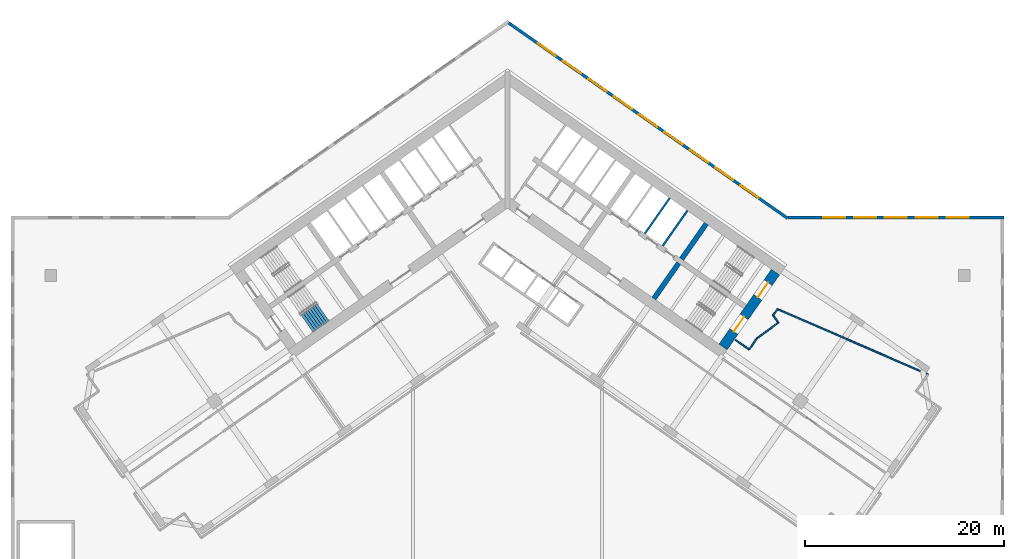
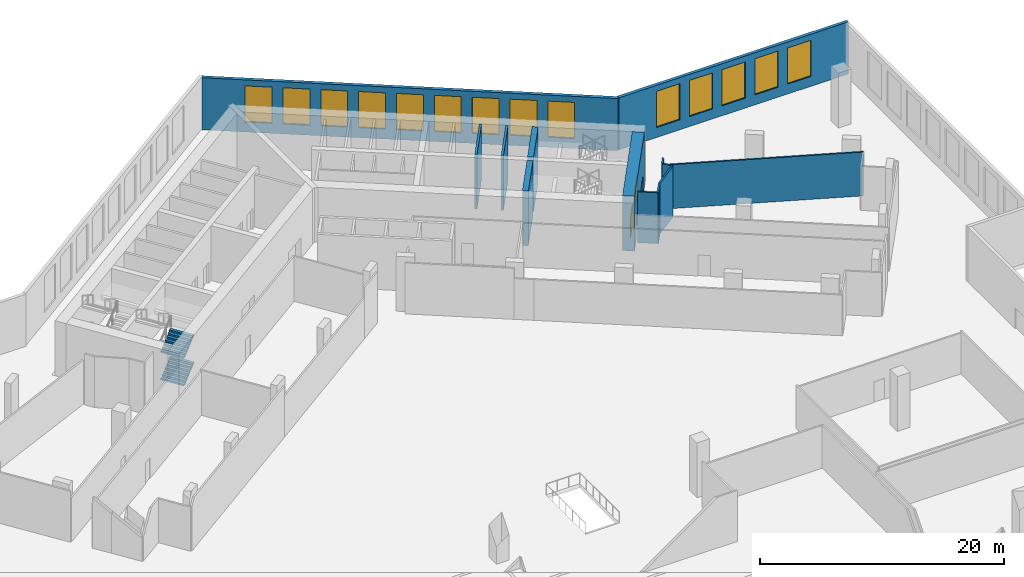
# One storey, part 10 of 15: 14 windows, 13 walls, 2 doors, 2 stair flights, 16 openings, 1 element without a shape of its own.
"""IFC4 building model written with IfcOpenShell, lengths in metres."""

from ifc_helpers import new_model, si_unit, direction, frame, frame_2d, origin, place, context, subcontext, project, spatial, polyline, rectangle, outline, extrude, material, layer, layer_set, type_object, element, fill, aggregate, save


model = new_model("IFC4")

# Units and contexts
model_context = context("Model", 3, precision=1e-05, world=origin(), true_north=direction((0.0, 1.0)))
body_context = subcontext(model_context, "Body", "Model", "MODEL_VIEW")
ifc_project = project(units=[si_unit("LENGTHUNIT", "METRE"), si_unit("AREAUNIT", "SQUARE_METRE"), si_unit("VOLUMEUNIT", "CUBIC_METRE"), si_unit("PLANEANGLEUNIT", "RADIAN"), si_unit("MASSUNIT", "GRAM", prefix="KILO")], contexts=[model_context])

# Site, building, storey
site_placement = place(None, origin())
site = spatial("IfcSite", under=ifc_project, at=site_placement, CompositionType="ELEMENT")
building_placement = place(site_placement, origin())
building = spatial("IfcBuilding", under=site, at=building_placement, Name="Tel Ilan Convention Tower", CompositionType="ELEMENT")
storey_placement = place(building_placement, frame((0.0, 0.0, 43.0)))
storey = spatial("IfcBuildingStorey", under=building, at=storey_placement, Name="L06", CompositionType="ELEMENT", Elevation=43.0)

# Wall, openings, doors
ifc_material_1 = material(Name="Concrete C60/75", Category="concrete")
ifc_layer_1 = layer(ifc_material_1, 1.0)
ifc_layer_set_1 = layer_set([ifc_layer_1], Name="Core Shear Wall 1000 mm C60/75")
wall_type_1 = type_object("IfcWallType", Name="Core Shear Wall 1000 mm C60/75", PredefinedType="SHEAR", material=ifc_layer_set_1)
wall_1_placement = place(storey_placement, frame((21.70751953125, -15.19970703125, 0.0), z_axis=(0.0, 0.0, 1.0), x_axis=(0.573576324356, 0.819152122709, 0.0)))
wall_1 = element("IfcWall", 1, at=wall_1_placement, inside=storey, type_object=wall_type_1, Name="L06 core wall E-end", PredefinedType="SHEAR", context=body_context, shape_type="SweptSolid", body=[
    extrude(outline(polyline([(9.199951171875, 0.5), (0.0, 0.5), (0.0, -0.5), (9.199951171875, -0.5), (9.199951171875, 0.5)])), origin(), (0.0, 0.0, 1.0), 5.5),
])
opening_1_placement = place(wall_1_placement, frame((6.10009765625, 0.0, 0.0)))
opening_1 = element("IfcOpeningElement", 2, at=opening_1_placement, cuts=wall_1, Name="Opening SD0903", PredefinedType="OPENING", context=body_context, shape_type="SweptSolid", body=[
    extrude(rectangle(XDim=1.800048828125, YDim=2.10009765625, at=frame_2d((0.89990234375, 1.050048828125))), frame((0.0, 0.510009765625, 0.0), z_axis=(0.0, -1.0, 0.0), x_axis=(1.0, 0.0, 0.0)), (0.0, 0.0, 1.0), 1.02001953125),
])
opening_2_placement = place(wall_1_placement, frame((1.89990234375, 0.0, 0.0)))
opening_2 = element("IfcOpeningElement", 3, at=opening_2_placement, cuts=wall_1, Name="Opening SD0904", PredefinedType="OPENING", context=body_context, shape_type="SweptSolid", body=[
    extrude(rectangle(XDim=1.800048828125, YDim=2.10009765625, at=frame_2d((0.89990234375, 1.050048828125))), frame((0.0, 0.510009765625, 0.0), z_axis=(0.0, -1.0, 0.0), x_axis=(1.0, 0.0, 0.0)), (0.0, 0.0, 1.0), 1.02001953125),
])
ifc_material_2 = material(Name="Galvanised Steel Door Leaf", Category="steel")
door_type = type_object("IfcDoorType", Name="Stair Fire Door 1800 x 2100 FD60S", OperationType="NOTDEFINED", PredefinedType="DOOR", material=ifc_material_2)
door_1_placement = place(opening_1_placement, origin())
door_1 = element("IfcDoor", 4, at=door_1_placement, inside=storey, type_object=door_type, Name="Stair S3 door", OperationType="DOUBLE_DOOR_SINGLE_SWING", OverallHeight=2.10009765625, OverallWidth=1.800048828125, PredefinedType="DOOR", context=body_context, shape_type="SweptSolid", body=[
    extrude(rectangle(XDim=1.800048828125, YDim=2.10009765625, at=frame_2d((0.89990234375, 1.050048828125))), frame((0.0, 0.02490234375, 0.0), z_axis=(0.0, -1.0, 0.0), x_axis=(1.0, 0.0, 0.0)), (0.0, 0.0, 1.0), 0.050048828125),
])
fill(opening_1, door_1)
door_2_placement = place(opening_2_placement, origin())
door_2 = element("IfcDoor", 5, at=door_2_placement, inside=storey, type_object=door_type, Name="Stair S4 door", OperationType="DOUBLE_DOOR_SINGLE_SWING", OverallHeight=2.10009765625, OverallWidth=1.800048828125, PredefinedType="DOOR", context=body_context, shape_type="SweptSolid", body=[
    extrude(rectangle(XDim=1.800048828125, YDim=2.10009765625, at=frame_2d((0.89990234375, 1.050048828125))), frame((0.0, 0.02490234375, 0.0), z_axis=(0.0, -1.0, 0.0), x_axis=(1.0, 0.0, 0.0)), (0.0, 0.0, 1.0), 0.050048828125),
])
fill(opening_2, door_2)

# Walls
ifc_material_3 = material(Name="Concrete C60/75", Category="concrete")
ifc_layer_2 = layer(ifc_material_3, 0.5)
ifc_layer_set_2 = layer_set([ifc_layer_2], Name="Core Shear Wall 500 mm C60/75")
wall_type_2 = type_object("IfcWallType", Name="Core Shear Wall 500 mm C60/75", PredefinedType="SHEAR", material=ifc_layer_set_2)
wall_2_placement = place(storey_placement, frame((14.74462890625, -10.324462890625, 0.0), z_axis=(0.0, 0.0, 1.0), x_axis=(0.57356780395, 0.819158088694, 0.0)))
element("IfcWall", 6, at=wall_2_placement, inside=storey, type_object=wall_type_2, Name="L06 core wall E-cross2-1", PredefinedType="SHEAR", context=body_context, shape_type="SweptSolid", body=[
    extrude(outline(polyline([(0.0, 0.25), (0.0, -0.25), (4.35009765625, -0.250244140625), (4.35009765625, 0.25), (0.0, 0.25)])), origin(), (0.0, 0.0, 1.0), 5.5),
])
wall_3_placement = place(storey_placement, frame((17.526611328125, -6.3515625, 0.0), z_axis=(0.0, 0.0, 1.0), x_axis=(0.573530143085, 0.819184457233, 0.0)))
element("IfcWall", 7, at=wall_3_placement, inside=storey, type_object=wall_type_2, Name="L06 core wall E-cross2-2", PredefinedType="SHEAR", context=body_context, shape_type="SweptSolid", body=[
    extrude(outline(polyline([(4.35009765625, -0.250244140625), (4.35009765625, 0.249755859375), (0.0, 0.25), (0.0, -0.25), (4.35009765625, -0.250244140625)])), origin(), (0.0, 0.0, 1.0), 5.5),
])
ifc_material_4 = material(Name="Plasterboard on Steel Studs", Category="steel")
ifc_layer_3 = layer(ifc_material_4, 0.14990234375)
ifc_layer_set_3 = layer_set([ifc_layer_3], Name="Fire-rated Partition 150 EI 60")
wall_type_3 = type_object("IfcWallType", Name="Fire-rated Partition 150 EI 60", PredefinedType="PARTITIONING", material=ifc_layer_set_3)
wall_4_placement = place(storey_placement, frame((26.74609375, -12.013671875, 0.0), z_axis=(0.0, 0.0, 1.0), x_axis=(0.573761975376, 0.819022097146, 0.0)))
element("IfcWall", 8, at=wall_4_placement, inside=storey, type_object=wall_type_3, Name="Partition 011", PredefinedType="PARTITIONING", context=body_context, shape_type="SweptSolid", body=[
    extrude(rectangle(XDim=0.765380859375, YDim=0.14990234375, at=frame_2d((0.3828125, 0.0))), origin(), (0.0, 0.0, 1.0), 5.10009765625),
])
wall_5_placement = place(storey_placement, frame((27.185302734375, -11.38671875, 0.0), z_axis=(0.0, 0.0, 1.0), x_axis=(0.917531384635, -0.397663372979, 0.0)))
element("IfcWall", 9, at=wall_5_placement, inside=storey, type_object=wall_type_3, Name="Partition 012", PredefinedType="PARTITIONING", context=body_context, shape_type="SweptSolid", body=[
    extrude(rectangle(XDim=16.535888671875, YDim=0.14990234375, at=frame_2d((8.26806640625, 0.0))), origin(), (0.0, 0.0, 1.0), 4.39990234375),
])
wall_6_placement = place(storey_placement, frame((22.961181640625, -14.490478515625, 0.0), z_axis=(0.0, 0.0, 1.0), x_axis=(0.819109000826, -0.573637903879, 0.0)))
element("IfcWall", 10, at=wall_6_placement, inside=storey, type_object=wall_type_3, Name="Partition 013", PredefinedType="PARTITIONING", context=body_context, shape_type="SweptSolid", body=[
    extrude(rectangle(XDim=1.679931640625, YDim=0.14990234375, at=frame_2d((0.83984375, 0.0))), origin(), (0.0, 0.0, 1.0), 5.10009765625),
])
wall_7_placement = place(storey_placement, frame((24.337158203125, -15.4541015625, 0.0), z_axis=(0.0, 0.0, 1.0), x_axis=(0.573571252353, 0.819155674139, 0.0)))
element("IfcWall", 11, at=wall_7_placement, inside=storey, type_object=wall_type_3, Name="Partition 014", PredefinedType="PARTITIONING", context=body_context, shape_type="SweptSolid", body=[
    extrude(rectangle(XDim=1.35400390625, YDim=0.14990234375, at=frame_2d((0.677001953125, 0.0))), origin(), (0.0, 0.0, 1.0), 5.10009765625),
])
wall_8_placement = place(storey_placement, frame((25.11376953125, -14.344970703125, 0.0), z_axis=(0.0, 0.0, 1.0), x_axis=(0.803211070557, 0.595694532571, 0.0)))
element("IfcWall", 12, at=wall_8_placement, inside=storey, type_object=wall_type_3, Name="Partition 015", PredefinedType="PARTITIONING", context=body_context, shape_type="SweptSolid", body=[
    extrude(rectangle(XDim=2.699951171875, YDim=0.14990234375, at=frame_2d((1.35009765625, 0.0))), origin(), (0.0, 0.0, 1.0), 5.10009765625),
])
wall_9_placement = place(storey_placement, frame((27.282470703125, -12.736572265625, 0.0), z_axis=(0.0, 0.0, 1.0), x_axis=(-0.595869495235, 0.803081281471, 0.0)))
element("IfcWall", 13, at=wall_9_placement, inside=storey, type_object=wall_type_3, Name="Partition 016", PredefinedType="PARTITIONING", context=body_context, shape_type="SweptSolid", body=[
    extrude(rectangle(XDim=0.900146484375, YDim=0.14990234375, at=frame_2d((0.4501953125, 0.0))), origin(), (0.0, 0.0, 1.0), 5.10009765625),
])
ifc_material_5 = material(Name="Concrete C30/37", Category="concrete")
ifc_layer_4 = layer(ifc_material_5, 0.199951171875)
ifc_layer_set_4 = layer_set([ifc_layer_4], Name="Lift Shaft Wall 200 mm C30/37")
wall_type_4 = type_object("IfcWallType", Name="Lift Shaft Wall 200 mm C30/37", PredefinedType="SOLIDWALL", material=ifc_layer_set_4)
wall_10_placement = place(storey_placement, frame((13.84033203125, -3.7705078125, 0.0), z_axis=(0.0, 0.0, 1.0), x_axis=(0.57356780395, 0.819158088694, 0.0)))
element("IfcWall", 14, at=wall_10_placement, inside=storey, type_object=wall_type_4, Name="L06 core wall bank-E2-p1", PredefinedType="SOLIDWALL", context=body_context, shape_type="SweptSolid", body=[
    extrude(rectangle(XDim=4.35009765625, YDim=0.199951171875, at=frame_2d((2.175048828125, 0.0))), origin(), (0.0, 0.0, 1.0), 5.5),
])
wall_11_placement = place(storey_placement, frame((15.6220703125, -5.017822265625, 0.0), z_axis=(0.0, 0.0, 1.0), x_axis=(0.573594173421, 0.819139624372, 0.0)))
element("IfcWall", 15, at=wall_11_placement, inside=storey, type_object=wall_type_4, Name="L06 core wall bank-E2-p2", PredefinedType="SOLIDWALL", context=body_context, shape_type="SweptSolid", body=[
    extrude(rectangle(XDim=4.349853515625, YDim=0.199951171875, at=frame_2d((2.1748046875, 0.0))), origin(), (0.0, 0.0, 1.0), 5.5),
])

# Wall, openings, windows
ifc_material_6 = material(Name="Bronze aluminium cladding panel on insulated steel frame", Category="steel")
ifc_layer_5 = layer(ifc_material_6, 0.300048828125)
ifc_layer_set_5 = layer_set([ifc_layer_5], Name="PODIUM CLADDING WALL 300")
wall_type_5 = type_object("IfcWallType", Name="PODIUM CLADDING WALL 300", PredefinedType="SOLIDWALL", material=ifc_layer_set_5)
wall_12_placement = place(storey_placement, frame((0.122802734375, 17.43212890625, 0.0), z_axis=(0.0, 0.0, 1.0), x_axis=(0.819151970339, -0.573576541963, 0.0)))
wall_12 = element("IfcWall", 16, at=wall_12_placement, inside=storey, type_object=wall_type_5, Name="Podium cladding wall", PredefinedType="SOLIDWALL", context=body_context, shape_type="SweptSolid", body=[
    extrude(rectangle(XDim=34.29052734375, YDim=0.300048828125, at=frame_2d((17.145263671875, 0.0))), origin(), (0.0, 0.0, 1.0), 5.219970703125),
])
opening_3_placement = place(wall_12_placement, frame((3.5673828125, 0.0, 1.0)))
opening_3 = element("IfcOpeningElement", 17, at=opening_3_placement, cuts=wall_12, Name="Opening W-09.045", PredefinedType="OPENING", context=body_context, shape_type="SweptSolid", body=[
    extrude(rectangle(XDim=2.21728515625, YDim=3.6201171875, at=frame_2d((1.108642578125, 1.81005859375))), frame((0.0, 0.159912109375, 0.0), z_axis=(0.0, -1.0, 0.0), x_axis=(1.0, 0.0, 0.0)), (0.0, 0.0, 1.0), 0.320068359375),
])
opening_4_placement = place(wall_12_placement, frame((6.6845703125, 0.0, 1.0)))
opening_4 = element("IfcOpeningElement", 18, at=opening_4_placement, cuts=wall_12, Name="Opening W-09.046", PredefinedType="OPENING", context=body_context, shape_type="SweptSolid", body=[
    extrude(rectangle(XDim=2.21728515625, YDim=3.6201171875, at=frame_2d((1.108642578125, 1.81005859375))), frame((0.0, 0.159912109375, 0.0), z_axis=(0.0, -1.0, 0.0), x_axis=(1.0, 0.0, 0.0)), (0.0, 0.0, 1.0), 0.320068359375),
])
opening_5_placement = place(wall_12_placement, frame((9.802001953125, 0.0, 1.0)))
opening_5 = element("IfcOpeningElement", 19, at=opening_5_placement, cuts=wall_12, Name="Opening W-09.047", PredefinedType="OPENING", context=body_context, shape_type="SweptSolid", body=[
    extrude(rectangle(XDim=2.21728515625, YDim=3.6201171875, at=frame_2d((1.108642578125, 1.81005859375))), frame((0.0, 0.159912109375, 0.0), z_axis=(0.0, -1.0, 0.0), x_axis=(1.0, 0.0, 0.0)), (0.0, 0.0, 1.0), 0.320068359375),
])
opening_6_placement = place(wall_12_placement, frame((12.919189453125, 0.0, 1.0)))
opening_6 = element("IfcOpeningElement", 20, at=opening_6_placement, cuts=wall_12, Name="Opening W-09.048", PredefinedType="OPENING", context=body_context, shape_type="SweptSolid", body=[
    extrude(rectangle(XDim=2.21728515625, YDim=3.6201171875, at=frame_2d((1.108642578125, 1.81005859375))), frame((0.0, 0.159912109375, 0.0), z_axis=(0.0, -1.0, 0.0), x_axis=(1.0, 0.0, 0.0)), (0.0, 0.0, 1.0), 0.320068359375),
])
opening_7_placement = place(wall_12_placement, frame((16.03662109375, 0.0, 1.0)))
opening_7 = element("IfcOpeningElement", 21, at=opening_7_placement, cuts=wall_12, Name="Opening W-09.049", PredefinedType="OPENING", context=body_context, shape_type="SweptSolid", body=[
    extrude(rectangle(XDim=2.21728515625, YDim=3.6201171875, at=frame_2d((1.108642578125, 1.81005859375))), frame((0.0, 0.159912109375, 0.0), z_axis=(0.0, -1.0, 0.0), x_axis=(1.0, 0.0, 0.0)), (0.0, 0.0, 1.0), 0.320068359375),
])
opening_8_placement = place(wall_12_placement, frame((19.15380859375, 0.0, 1.0)))
opening_8 = element("IfcOpeningElement", 22, at=opening_8_placement, cuts=wall_12, Name="Opening W-09.050", PredefinedType="OPENING", context=body_context, shape_type="SweptSolid", body=[
    extrude(rectangle(XDim=2.21728515625, YDim=3.6201171875, at=frame_2d((1.108642578125, 1.81005859375))), frame((0.0, 0.159912109375, 0.0), z_axis=(0.0, -1.0, 0.0), x_axis=(1.0, 0.0, 0.0)), (0.0, 0.0, 1.0), 0.320068359375),
])
opening_9_placement = place(wall_12_placement, frame((22.27099609375, 0.0, 1.0)))
opening_9 = element("IfcOpeningElement", 23, at=opening_9_placement, cuts=wall_12, Name="Opening W-09.051", PredefinedType="OPENING", context=body_context, shape_type="SweptSolid", body=[
    extrude(rectangle(XDim=2.21728515625, YDim=3.6201171875, at=frame_2d((1.108642578125, 1.81005859375))), frame((0.0, 0.159912109375, 0.0), z_axis=(0.0, -1.0, 0.0), x_axis=(1.0, 0.0, 0.0)), (0.0, 0.0, 1.0), 0.320068359375),
])
opening_10_placement = place(wall_12_placement, frame((25.388427734375, 0.0, 1.0)))
opening_10 = element("IfcOpeningElement", 24, at=opening_10_placement, cuts=wall_12, Name="Opening W-09.052", PredefinedType="OPENING", context=body_context, shape_type="SweptSolid", body=[
    extrude(rectangle(XDim=2.21728515625, YDim=3.6201171875, at=frame_2d((1.108642578125, 1.81005859375))), frame((0.0, 0.159912109375, 0.0), z_axis=(0.0, -1.0, 0.0), x_axis=(1.0, 0.0, 0.0)), (0.0, 0.0, 1.0), 0.320068359375),
])
opening_11_placement = place(wall_12_placement, frame((28.505615234375, 0.0, 1.0)))
opening_11 = element("IfcOpeningElement", 25, at=opening_11_placement, cuts=wall_12, Name="Opening W-09.053", PredefinedType="OPENING", context=body_context, shape_type="SweptSolid", body=[
    extrude(rectangle(XDim=2.21728515625, YDim=3.6201171875, at=frame_2d((1.108642578125, 1.81005859375))), frame((0.0, 0.159912109375, 0.0), z_axis=(0.0, -1.0, 0.0), x_axis=(1.0, 0.0, 0.0)), (0.0, 0.0, 1.0), 0.320068359375),
])
ifc_material_7 = material(Name="Aluminium framed glazing, bronze anodised, tinted glass", Category="aluminium")
window_type_1 = type_object("IfcWindowType", Name="PODIUM WINDOW 2217x3620", PartitioningType="SINGLE_PANEL", PredefinedType="WINDOW", material=ifc_material_7)
window_1_placement = place(opening_3_placement, origin())
window_1 = element("IfcWindow", 26, at=window_1_placement, inside=storey, type_object=window_type_1, Name="Podium window", OverallHeight=3.6201171875, OverallWidth=2.21728515625, PartitioningType="SINGLE_PANEL", PredefinedType="WINDOW", context=body_context, shape_type="SweptSolid", body=[
    extrude(rectangle(XDim=2.21728515625, YDim=3.6201171875, at=frame_2d((1.108642578125, 1.81005859375))), frame((0.0, 0.030029296875, 0.0), z_axis=(0.0, -1.0, 0.0), x_axis=(1.0, 0.0, 0.0)), (0.0, 0.0, 1.0), 0.06005859375),
])
fill(opening_3, window_1)
window_2_placement = place(opening_4_placement, origin())
window_2 = element("IfcWindow", 27, at=window_2_placement, inside=storey, type_object=window_type_1, Name="Podium window", OverallHeight=3.6201171875, OverallWidth=2.21728515625, PartitioningType="SINGLE_PANEL", PredefinedType="WINDOW", context=body_context, shape_type="SweptSolid", body=[
    extrude(rectangle(XDim=2.21728515625, YDim=3.6201171875, at=frame_2d((1.108642578125, 1.81005859375))), frame((0.0, 0.030029296875, 0.0), z_axis=(0.0, -1.0, 0.0), x_axis=(1.0, 0.0, 0.0)), (0.0, 0.0, 1.0), 0.06005859375),
])
fill(opening_4, window_2)
window_3_placement = place(opening_5_placement, origin())
window_3 = element("IfcWindow", 28, at=window_3_placement, inside=storey, type_object=window_type_1, Name="Podium window", OverallHeight=3.6201171875, OverallWidth=2.21728515625, PartitioningType="SINGLE_PANEL", PredefinedType="WINDOW", context=body_context, shape_type="SweptSolid", body=[
    extrude(rectangle(XDim=2.21728515625, YDim=3.6201171875, at=frame_2d((1.108642578125, 1.81005859375))), frame((0.0, 0.030029296875, 0.0), z_axis=(0.0, -1.0, 0.0), x_axis=(1.0, 0.0, 0.0)), (0.0, 0.0, 1.0), 0.06005859375),
])
fill(opening_5, window_3)
window_4_placement = place(opening_6_placement, origin())
window_4 = element("IfcWindow", 29, at=window_4_placement, inside=storey, type_object=window_type_1, Name="Podium window", OverallHeight=3.6201171875, OverallWidth=2.21728515625, PartitioningType="SINGLE_PANEL", PredefinedType="WINDOW", context=body_context, shape_type="SweptSolid", body=[
    extrude(rectangle(XDim=2.21728515625, YDim=3.6201171875, at=frame_2d((1.108642578125, 1.81005859375))), frame((0.0, 0.030029296875, 0.0), z_axis=(0.0, -1.0, 0.0), x_axis=(1.0, 0.0, 0.0)), (0.0, 0.0, 1.0), 0.06005859375),
])
fill(opening_6, window_4)
window_5_placement = place(opening_7_placement, origin())
window_5 = element("IfcWindow", 30, at=window_5_placement, inside=storey, type_object=window_type_1, Name="Podium window", OverallHeight=3.6201171875, OverallWidth=2.21728515625, PartitioningType="SINGLE_PANEL", PredefinedType="WINDOW", context=body_context, shape_type="SweptSolid", body=[
    extrude(rectangle(XDim=2.21728515625, YDim=3.6201171875, at=frame_2d((1.108642578125, 1.81005859375))), frame((0.0, 0.030029296875, 0.0), z_axis=(0.0, -1.0, 0.0), x_axis=(1.0, 0.0, 0.0)), (0.0, 0.0, 1.0), 0.06005859375),
])
fill(opening_7, window_5)
window_6_placement = place(opening_8_placement, origin())
window_6 = element("IfcWindow", 31, at=window_6_placement, inside=storey, type_object=window_type_1, Name="Podium window", OverallHeight=3.6201171875, OverallWidth=2.21728515625, PartitioningType="SINGLE_PANEL", PredefinedType="WINDOW", context=body_context, shape_type="SweptSolid", body=[
    extrude(rectangle(XDim=2.21728515625, YDim=3.6201171875, at=frame_2d((1.108642578125, 1.81005859375))), frame((0.0, 0.030029296875, 0.0), z_axis=(0.0, -1.0, 0.0), x_axis=(1.0, 0.0, 0.0)), (0.0, 0.0, 1.0), 0.06005859375),
])
fill(opening_8, window_6)
window_7_placement = place(opening_9_placement, origin())
window_7 = element("IfcWindow", 32, at=window_7_placement, inside=storey, type_object=window_type_1, Name="Podium window", OverallHeight=3.6201171875, OverallWidth=2.21728515625, PartitioningType="SINGLE_PANEL", PredefinedType="WINDOW", context=body_context, shape_type="SweptSolid", body=[
    extrude(rectangle(XDim=2.21728515625, YDim=3.6201171875, at=frame_2d((1.108642578125, 1.81005859375))), frame((0.0, 0.030029296875, 0.0), z_axis=(0.0, -1.0, 0.0), x_axis=(1.0, 0.0, 0.0)), (0.0, 0.0, 1.0), 0.06005859375),
])
fill(opening_9, window_7)
window_8_placement = place(opening_10_placement, origin())
window_8 = element("IfcWindow", 33, at=window_8_placement, inside=storey, type_object=window_type_1, Name="Podium window", OverallHeight=3.6201171875, OverallWidth=2.21728515625, PartitioningType="SINGLE_PANEL", PredefinedType="WINDOW", context=body_context, shape_type="SweptSolid", body=[
    extrude(rectangle(XDim=2.21728515625, YDim=3.6201171875, at=frame_2d((1.108642578125, 1.81005859375))), frame((0.0, 0.030029296875, 0.0), z_axis=(0.0, -1.0, 0.0), x_axis=(1.0, 0.0, 0.0)), (0.0, 0.0, 1.0), 0.06005859375),
])
fill(opening_10, window_8)
window_9_placement = place(opening_11_placement, origin())
window_9 = element("IfcWindow", 34, at=window_9_placement, inside=storey, type_object=window_type_1, Name="Podium window", OverallHeight=3.6201171875, OverallWidth=2.21728515625, PartitioningType="SINGLE_PANEL", PredefinedType="WINDOW", context=body_context, shape_type="SweptSolid", body=[
    extrude(rectangle(XDim=2.21728515625, YDim=3.6201171875, at=frame_2d((1.108642578125, 1.81005859375))), frame((0.0, 0.030029296875, 0.0), z_axis=(0.0, -1.0, 0.0), x_axis=(1.0, 0.0, 0.0)), (0.0, 0.0, 1.0), 0.06005859375),
])
fill(opening_11, window_9)

wall_13_placement = place(storey_placement, frame((28.239013671875, -2.14990234375, 0.0), z_axis=(0.0, 0.0, 1.0), x_axis=(1.0, 0.0, 0.0)))
wall_13 = element("IfcWall", 35, at=wall_13_placement, inside=storey, type_object=wall_type_5, Name="Podium cladding wall", PredefinedType="SOLIDWALL", context=body_context, shape_type="SweptSolid", body=[
    extrude(rectangle(XDim=21.760986328125, YDim=0.300048828125, at=frame_2d((10.88037109375, 0.0))), origin(), (0.0, 0.0, 1.0), 5.219970703125),
])
opening_12_placement = place(wall_13_placement, frame((3.558837890625, 0.0, 1.0)))
opening_12 = element("IfcOpeningElement", 36, at=opening_12_placement, cuts=wall_13, Name="Opening W-09.054", PredefinedType="OPENING", context=body_context, shape_type="SweptSolid", body=[
    extrude(rectangle(XDim=2.208740234375, YDim=3.6201171875, at=frame_2d((1.1044921875, 1.81005859375))), frame((0.0, 0.159912109375, 0.0), z_axis=(0.0, -1.0, 0.0), x_axis=(1.0, 0.0, 0.0)), (0.0, 0.0, 1.0), 0.320068359375),
])
opening_13_placement = place(wall_13_placement, frame((6.66748046875, 0.0, 1.0)))
opening_13 = element("IfcOpeningElement", 37, at=opening_13_placement, cuts=wall_13, Name="Opening W-09.055", PredefinedType="OPENING", context=body_context, shape_type="SweptSolid", body=[
    extrude(rectangle(XDim=2.208740234375, YDim=3.6201171875, at=frame_2d((1.1044921875, 1.81005859375))), frame((0.0, 0.159912109375, 0.0), z_axis=(0.0, -1.0, 0.0), x_axis=(1.0, 0.0, 0.0)), (0.0, 0.0, 1.0), 0.320068359375),
])
opening_14_placement = place(wall_13_placement, frame((9.776123046875, 0.0, 1.0)))
opening_14 = element("IfcOpeningElement", 38, at=opening_14_placement, cuts=wall_13, Name="Opening W-09.056", PredefinedType="OPENING", context=body_context, shape_type="SweptSolid", body=[
    extrude(rectangle(XDim=2.208740234375, YDim=3.6201171875, at=frame_2d((1.1044921875, 1.81005859375))), frame((0.0, 0.159912109375, 0.0), z_axis=(0.0, -1.0, 0.0), x_axis=(1.0, 0.0, 0.0)), (0.0, 0.0, 1.0), 0.320068359375),
])
opening_15_placement = place(wall_13_placement, frame((12.884765625, 0.0, 1.0)))
opening_15 = element("IfcOpeningElement", 39, at=opening_15_placement, cuts=wall_13, Name="Opening W-09.057", PredefinedType="OPENING", context=body_context, shape_type="SweptSolid", body=[
    extrude(rectangle(XDim=2.208740234375, YDim=3.6201171875, at=frame_2d((1.1044921875, 1.81005859375))), frame((0.0, 0.159912109375, 0.0), z_axis=(0.0, -1.0, 0.0), x_axis=(1.0, 0.0, 0.0)), (0.0, 0.0, 1.0), 0.320068359375),
])
opening_16_placement = place(wall_13_placement, frame((15.99365234375, 0.0, 1.0)))
opening_16 = element("IfcOpeningElement", 40, at=opening_16_placement, cuts=wall_13, Name="Opening W-09.058", PredefinedType="OPENING", context=body_context, shape_type="SweptSolid", body=[
    extrude(rectangle(XDim=2.208740234375, YDim=3.6201171875, at=frame_2d((1.1044921875, 1.81005859375))), frame((0.0, 0.159912109375, 0.0), z_axis=(0.0, -1.0, 0.0), x_axis=(1.0, 0.0, 0.0)), (0.0, 0.0, 1.0), 0.320068359375),
])
ifc_material_8 = material(Name="Aluminium framed glazing, bronze anodised, tinted glass", Category="aluminium")
window_type_2 = type_object("IfcWindowType", Name="PODIUM WINDOW 2209x3620", PartitioningType="SINGLE_PANEL", PredefinedType="WINDOW", material=ifc_material_8)
window_10_placement = place(opening_12_placement, origin())
window_10 = element("IfcWindow", 41, at=window_10_placement, inside=storey, type_object=window_type_2, Name="Podium window", OverallHeight=3.6201171875, OverallWidth=2.208740234375, PartitioningType="SINGLE_PANEL", PredefinedType="WINDOW", context=body_context, shape_type="SweptSolid", body=[
    extrude(rectangle(XDim=2.208740234375, YDim=3.6201171875, at=frame_2d((1.1044921875, 1.81005859375))), frame((0.0, 0.030029296875, 0.0), z_axis=(0.0, -1.0, 0.0), x_axis=(1.0, 0.0, 0.0)), (0.0, 0.0, 1.0), 0.06005859375),
])
fill(opening_12, window_10)
window_11_placement = place(opening_13_placement, origin())
window_11 = element("IfcWindow", 42, at=window_11_placement, inside=storey, type_object=window_type_2, Name="Podium window", OverallHeight=3.6201171875, OverallWidth=2.208740234375, PartitioningType="SINGLE_PANEL", PredefinedType="WINDOW", context=body_context, shape_type="SweptSolid", body=[
    extrude(rectangle(XDim=2.208740234375, YDim=3.6201171875, at=frame_2d((1.1044921875, 1.81005859375))), frame((0.0, 0.030029296875, 0.0), z_axis=(0.0, -1.0, 0.0), x_axis=(1.0, 0.0, 0.0)), (0.0, 0.0, 1.0), 0.06005859375),
])
fill(opening_13, window_11)
window_12_placement = place(opening_14_placement, origin())
window_12 = element("IfcWindow", 43, at=window_12_placement, inside=storey, type_object=window_type_2, Name="Podium window", OverallHeight=3.6201171875, OverallWidth=2.208740234375, PartitioningType="SINGLE_PANEL", PredefinedType="WINDOW", context=body_context, shape_type="SweptSolid", body=[
    extrude(rectangle(XDim=2.208740234375, YDim=3.6201171875, at=frame_2d((1.1044921875, 1.81005859375))), frame((0.0, 0.030029296875, 0.0), z_axis=(0.0, -1.0, 0.0), x_axis=(1.0, 0.0, 0.0)), (0.0, 0.0, 1.0), 0.06005859375),
])
fill(opening_14, window_12)
window_13_placement = place(opening_15_placement, origin())
window_13 = element("IfcWindow", 44, at=window_13_placement, inside=storey, type_object=window_type_2, Name="Podium window", OverallHeight=3.6201171875, OverallWidth=2.208740234375, PartitioningType="SINGLE_PANEL", PredefinedType="WINDOW", context=body_context, shape_type="SweptSolid", body=[
    extrude(rectangle(XDim=2.208740234375, YDim=3.6201171875, at=frame_2d((1.1044921875, 1.81005859375))), frame((0.0, 0.030029296875, 0.0), z_axis=(0.0, -1.0, 0.0), x_axis=(1.0, 0.0, 0.0)), (0.0, 0.0, 1.0), 0.06005859375),
])
fill(opening_15, window_13)
window_14_placement = place(opening_16_placement, origin())
window_14 = element("IfcWindow", 45, at=window_14_placement, inside=storey, type_object=window_type_2, Name="Podium window", OverallHeight=3.6201171875, OverallWidth=2.208740234375, PartitioningType="SINGLE_PANEL", PredefinedType="WINDOW", context=body_context, shape_type="SweptSolid", body=[
    extrude(rectangle(XDim=2.208740234375, YDim=3.6201171875, at=frame_2d((1.1044921875, 1.81005859375))), frame((0.0, 0.030029296875, 0.0), z_axis=(0.0, -1.0, 0.0), x_axis=(1.0, 0.0, 0.0)), (0.0, 0.0, 1.0), 0.06005859375),
])
fill(opening_16, window_14)

# Stair, stair flights
ifc_material_9 = material(Name="Concrete C40/50", Category="concrete")
stair_type = type_object("IfcStairType", Name="Pressurised Exit Stair 32 risers 172 mm", PredefinedType="HALF_TURN_STAIR", material=ifc_material_9)
stair_placement = place(storey_placement, origin())
stair = element("IfcStair", 46, at=stair_placement, inside=storey, type_object=stair_type, Name="L06 Pressurised Stair S2", PredefinedType="HALF_TURN_STAIR")
ifc_material_10 = material(Name="Precast Concrete C40/50", Category="concrete")
stair_flight_type = type_object("IfcStairFlightType", Name="Concrete Stair Flight 2100 mm 32 risers 172 mm", PredefinedType="STRAIGHT", material=ifc_material_10)
stair_flight_1_placement = place(storey_placement, frame((-20.179931640625, -12.848388671875, 0.0), z_axis=(0.0, 0.0, 1.0), x_axis=(0.819152044289, 0.573576436351, 0.0)))
stair_flight_1 = element("IfcStairFlight", 47, at=stair_flight_1_placement, type_object=stair_flight_type, Name="S2 flight 1", NumberOfRisers=8, NumberOfTreads=7, PredefinedType="STRAIGHT", RiserHeight=0.171875, TreadLength=0.28, context=body_context, shape_type="SweptSolid", body=[
    extrude(outline(polyline([(0.0, 0.0), (0.0, 0.171875), (0.280029296875, 0.171875), (0.280029296875, 0.34375), (0.56005859375, 0.34375), (0.56005859375, 0.515625), (0.840087890625, 0.515625), (0.840087890625, 0.6875), (1.1201171875, 0.6875), (1.1201171875, 0.859375), (1.39990234375, 0.859375), (1.39990234375, 1.03125), (1.679931640625, 1.03125), (1.679931640625, 1.203125), (1.9599609375, 1.203125), (1.9599609375, 1.375), (1.9599609375, 1.02734375), (0.28662109375, 0.0), (0.0, 0.0)])), frame((0.0, -0.100341796875, 0.0), z_axis=(0.0, -1.0, 0.0), x_axis=(1.0, 0.0, 0.0)), (0.0, 0.0, 1.0), 0.94970703125),
    extrude(outline(polyline([(0.0, 0.0), (0.0, 0.171875), (0.280029296875, 0.171875), (0.280029296875, 0.34375), (0.56005859375, 0.34375), (0.56005859375, 0.515625), (0.840087890625, 0.515625), (0.840087890625, 0.6875), (1.1201171875, 0.6875), (1.1201171875, 0.859375), (1.39990234375, 0.859375), (1.39990234375, 1.03125), (1.679931640625, 1.03125), (1.679931640625, 1.203125), (1.9599609375, 1.203125), (1.9599609375, 1.375), (1.9599609375, 1.02734375), (0.28662109375, 0.0), (0.0, 0.0)])), frame((0.0, -0.000244140625, 0.0), z_axis=(0.0, -1.0, 0.0), x_axis=(1.0, 0.0, 0.0)), (0.0, 0.0, 1.0), 0.099609375),
    extrude(outline(polyline([(0.0, 0.0), (0.0, 0.171875), (0.280029296875, 0.171875), (0.280029296875, 0.34375), (0.56005859375, 0.34375), (0.56005859375, 0.515625), (0.840087890625, 0.515625), (0.840087890625, 0.6875), (1.1201171875, 0.6875), (1.1201171875, 0.859375), (1.39990234375, 0.859375), (1.39990234375, 1.03125), (1.679931640625, 1.03125), (1.679931640625, 1.203125), (1.9599609375, 1.203125), (1.9599609375, 1.375), (1.9599609375, 1.02734375), (0.28662109375, 0.0), (0.0, 0.0)])), frame((0.0, 0.099853515625, 0.0), z_axis=(0.0, -1.0, 0.0), x_axis=(1.0, 0.0, 0.0)), (0.0, 0.0, 1.0), 0.099609375),
    extrude(outline(polyline([(0.0, 0.0), (0.0, 0.171875), (0.280029296875, 0.171875), (0.280029296875, 0.34375), (0.56005859375, 0.34375), (0.56005859375, 0.515625), (0.840087890625, 0.515625), (0.840087890625, 0.6875), (1.1201171875, 0.6875), (1.1201171875, 0.859375), (1.39990234375, 0.859375), (1.39990234375, 1.03125), (1.679931640625, 1.03125), (1.679931640625, 1.203125), (1.9599609375, 1.203125), (1.9599609375, 1.375), (1.9599609375, 1.02734375), (0.28662109375, 0.0), (0.0, 0.0)])), frame((0.0, 1.050048828125, 0.0), z_axis=(0.0, -1.0, 0.0), x_axis=(1.0, 0.0, 0.0)), (0.0, 0.0, 1.0), 0.94970703125),
])
stair_flight_2_placement = place(storey_placement, frame((-20.179931640625, -12.848388671875, 2.75), z_axis=(0.0, 0.0, 1.0), x_axis=(0.819152044289, 0.573576436351, 0.0)))
stair_flight_2 = element("IfcStairFlight", 48, at=stair_flight_2_placement, type_object=stair_flight_type, Name="S2 flight 3", NumberOfRisers=8, NumberOfTreads=7, PredefinedType="STRAIGHT", RiserHeight=0.171875, TreadLength=0.28, context=body_context, shape_type="SweptSolid", body=[
    extrude(outline(polyline([(0.0, 0.0), (0.0, 0.171875), (0.280029296875, 0.171875), (0.280029296875, 0.34375), (0.56005859375, 0.34375), (0.56005859375, 0.515625), (0.840087890625, 0.515625), (0.840087890625, 0.6875), (1.1201171875, 0.6875), (1.1201171875, 0.859375), (1.39990234375, 0.859375), (1.39990234375, 1.03125), (1.679931640625, 1.03125), (1.679931640625, 1.203125), (1.9599609375, 1.203125), (1.9599609375, 1.375), (1.9599609375, 1.02734375), (0.28662109375, 0.0), (0.0, 0.0)])), frame((0.0, -0.100341796875, 0.0), z_axis=(0.0, -1.0, 0.0), x_axis=(1.0, 0.0, 0.0)), (0.0, 0.0, 1.0), 0.94970703125),
    extrude(outline(polyline([(0.0, 0.0), (0.0, 0.171875), (0.280029296875, 0.171875), (0.280029296875, 0.34375), (0.56005859375, 0.34375), (0.56005859375, 0.515625), (0.840087890625, 0.515625), (0.840087890625, 0.6875), (1.1201171875, 0.6875), (1.1201171875, 0.859375), (1.39990234375, 0.859375), (1.39990234375, 1.03125), (1.679931640625, 1.03125), (1.679931640625, 1.203125), (1.9599609375, 1.203125), (1.9599609375, 1.375), (1.9599609375, 1.02734375), (0.28662109375, 0.0), (0.0, 0.0)])), frame((0.0, -0.000244140625, 0.0), z_axis=(0.0, -1.0, 0.0), x_axis=(1.0, 0.0, 0.0)), (0.0, 0.0, 1.0), 0.099609375),
    extrude(outline(polyline([(0.0, 0.0), (0.0, 0.171875), (0.280029296875, 0.171875), (0.280029296875, 0.34375), (0.56005859375, 0.34375), (0.56005859375, 0.515625), (0.840087890625, 0.515625), (0.840087890625, 0.6875), (1.1201171875, 0.6875), (1.1201171875, 0.859375), (1.39990234375, 0.859375), (1.39990234375, 1.03125), (1.679931640625, 1.03125), (1.679931640625, 1.203125), (1.9599609375, 1.203125), (1.9599609375, 1.375), (1.9599609375, 1.02734375), (0.28662109375, 0.0), (0.0, 0.0)])), frame((0.0, 0.099853515625, 0.0), z_axis=(0.0, -1.0, 0.0), x_axis=(1.0, 0.0, 0.0)), (0.0, 0.0, 1.0), 0.099609375),
    extrude(outline(polyline([(0.0, 0.0), (0.0, 0.171875), (0.280029296875, 0.171875), (0.280029296875, 0.34375), (0.56005859375, 0.34375), (0.56005859375, 0.515625), (0.840087890625, 0.515625), (0.840087890625, 0.6875), (1.1201171875, 0.6875), (1.1201171875, 0.859375), (1.39990234375, 0.859375), (1.39990234375, 1.03125), (1.679931640625, 1.03125), (1.679931640625, 1.203125), (1.9599609375, 1.203125), (1.9599609375, 1.375), (1.9599609375, 1.02734375), (0.28662109375, 0.0), (0.0, 0.0)])), frame((0.0, 1.050048828125, 0.0), z_axis=(0.0, -1.0, 0.0), x_axis=(1.0, 0.0, 0.0)), (0.0, 0.0, 1.0), 0.94970703125),
])
aggregate(stair, [stair_flight_1, stair_flight_2])

save(model, "model.ifc")
